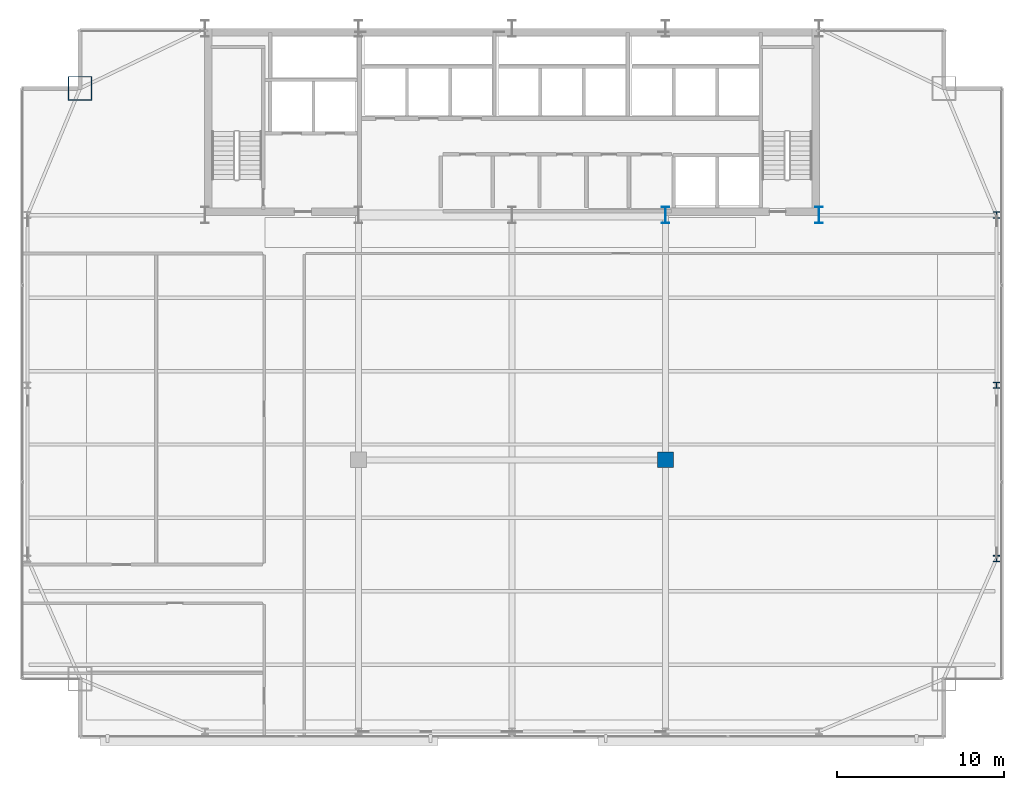
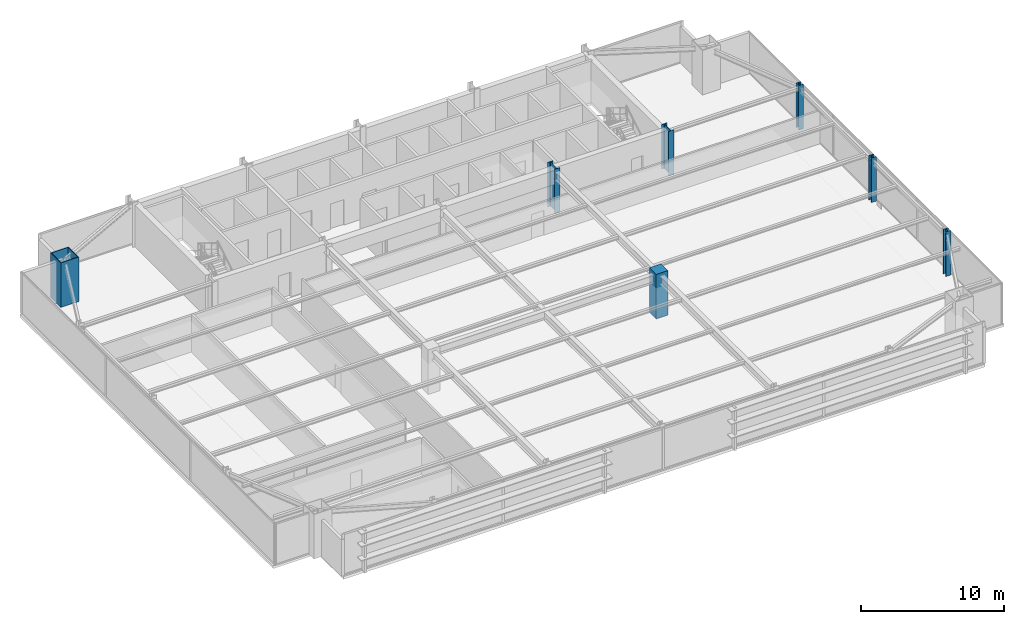
# One storey, part 2 of 32: 7 columns.
"""IFC4 building model written with IfcOpenShell, lengths in metres."""

from ifc_helpers import new_model, si_unit, direction, frame, origin, origin_2d, place, context, subcontext, project, spatial, rectangle, hollow_rectangle, i_section, extrude, source, transform, mapped, material, material_profile, profile_set, type_object, type_shapes, element, save


model = new_model("IFC4")

# Units and contexts
model_context = context("Model", 3, precision=1e-05, world=origin(), true_north=direction((0.0, 1.0)))
body_context = subcontext(model_context, "Body", "Model", "MODEL_VIEW")
ifc_project = project(units=[si_unit("LENGTHUNIT", "METRE"), si_unit("AREAUNIT", "SQUARE_METRE"), si_unit("VOLUMEUNIT", "CUBIC_METRE"), si_unit("PLANEANGLEUNIT", "RADIAN"), si_unit("MASSUNIT", "GRAM", prefix="KILO")], contexts=[model_context])

# Site, building, storey
site_placement = place(None, origin())
site = spatial("IfcSite", under=ifc_project, at=site_placement, CompositionType="ELEMENT")
building_placement = place(site_placement, origin())
building = spatial("IfcBuilding", under=site, at=building_placement, Name="Varnel Quay Broadcast Tower", CompositionType="ELEMENT")
storey_placement = place(building_placement, frame((0.0, 0.0, 90.800048828125)))
storey = spatial("IfcBuildingStorey", under=building, at=storey_placement, Name="L21", CompositionType="ELEMENT", Elevation=90.800048828125)

# Columns
ifc_material_1 = material(Name="Structural Steel CSA G40.21 350WT", Category="steel")
ifc_material_profile_1 = material_profile(ifc_material_1, i_section(OverallWidth=0.449951171875, OverallDepth=1.0, WebThickness=0.01611328125, FlangeThickness=0.030029296875, FilletRadius=0.01611328125, at=origin_2d()), Name="WWF1000X362")
ifc_profile_set_1 = profile_set([ifc_material_profile_1], Name="Structural Steel CSA G40.21 350WT")
column_type_1 = type_object("IfcColumnType", Name="Col_WWF1000X362", PredefinedType="COLUMN", material=ifc_profile_set_1)
shared_shape_1 = source(origin(), body_context, "Body", "SweptSolid", [
    extrude(i_section(OverallWidth=0.449951171875, OverallDepth=1.0, WebThickness=0.01611328125, FlangeThickness=0.030029296875, FilletRadius=0.01611328125, at=origin_2d()), origin(), (0.0, 0.0, 1.0), 3.800048828125),
])
type_shapes(column_type_1, [shared_shape_1])
for number, where, z_axis, x_axis, name in (
    (1, (43.199951171875, 35.60009765625, 0.0), (0.0, 0.0, 1.0), (1.0, 0.0, 0.0), "L21 Column CC-S4"),
    (2, (52.39990234375, 35.60009765625, 0.0), (0.0, 0.0, 1.0), (1.0, 0.0, 0.0), "L21 Column CC-S5"),
):
    element("IfcColumn", number, at=place(storey_placement, frame(where, z_axis=z_axis, x_axis=x_axis)), inside=storey, type_object=column_type_1, Name=name, PredefinedType="COLUMN", context=body_context, shape_type="MappedRepresentation", body=[
        mapped(shared_shape_1, transform((0.0, 0.0, 0.0), x_axis=(1.0, 0.0, 0.0), y_axis=(0.0, 1.0, 0.0), z_axis=(0.0, 0.0, 1.0), scale=1.0)),
    ])
ifc_material_profile_2 = material_profile(ifc_material_1, hollow_rectangle(XDim=1.449951171875, YDim=1.449951171875, WallThickness=0.054931640625, at=origin_2d()), Name="BOX1450X1450X55")
ifc_profile_set_2 = profile_set([ifc_material_profile_2], Name="Structural Steel CSA G40.21 350WT")
column_type_2 = type_object("IfcColumnType", Name="Col_BOX1450X1450X55", PredefinedType="COLUMN", material=ifc_profile_set_2)
shared_shape_2 = source(origin(), body_context, "Body", "SweptSolid", [
    extrude(hollow_rectangle(XDim=1.449951171875, YDim=1.449951171875, WallThickness=0.054931640625, at=origin_2d()), origin(), (0.0, 0.0, 1.0), 3.800048828125),
])
type_shapes(column_type_2, [shared_shape_2])
column_1_placement = place(storey_placement, frame((8.10009765625, 43.199951171875, 0.0), z_axis=(0.0, 0.0, 1.0), x_axis=(1.0, 0.0, 0.0)))
element("IfcColumn", 3, at=column_1_placement, inside=storey, type_object=column_type_2, Name="L21 Column MC-NW", PredefinedType="COLUMN", context=body_context, shape_type="MappedRepresentation", body=[
    mapped(shared_shape_2, transform((0.0, 0.0, 0.0), x_axis=(1.0, 0.0, 0.0), y_axis=(0.0, 1.0, 0.0), z_axis=(0.0, 0.0, 1.0), scale=1.0)),
])
ifc_material_2 = material(Name="Structural Steel CSA G40.21 350W", Category="steel")
ifc_material_profile_3 = material_profile(ifc_material_2, i_section(OverallWidth=0.39794921875, OverallDepth=0.386962890625, WebThickness=0.02099609375, FlangeThickness=0.033203125, FilletRadius=0.01806640625, at=origin_2d()), Name="W360X262")
ifc_profile_set_3 = profile_set([ifc_material_profile_3], Name="Structural Steel CSA G40.21 350W")
column_type_3 = type_object("IfcColumnType", Name="Col_W360X262", PredefinedType="COLUMN", material=ifc_profile_set_3)
shared_shape_3 = source(origin(), body_context, "Body", "SweptSolid", [
    extrude(i_section(OverallWidth=0.39794921875, OverallDepth=0.386962890625, WebThickness=0.02099609375, FlangeThickness=0.033203125, FilletRadius=0.01806640625, at=origin_2d()), origin(), (0.0, 0.0, 1.0), 3.800048828125),
])
type_shapes(column_type_3, [shared_shape_3])
for number, where, z_axis, x_axis, name in (
    (4, (63.050048828125, 15.0, 0.0), (0.0, 0.0, 1.0), (1.0, 0.0, 0.0), "L21 Column TC-E1"),
    (5, (63.050048828125, 25.39990234375, 0.0), (0.0, 0.0, 1.0), (1.0, 0.0, 0.0), "L21 Column TC-E2"),
    (6, (63.050048828125, 35.60009765625, 0.0), (0.0, 0.0, 1.0), (1.0, 0.0, 0.0), "L21 Column TC-E3"),
):
    element("IfcColumn", number, at=place(storey_placement, frame(where, z_axis=z_axis, x_axis=x_axis)), inside=storey, type_object=column_type_3, Name=name, PredefinedType="COLUMN", context=body_context, shape_type="MappedRepresentation", body=[
        mapped(shared_shape_3, transform((0.0, 0.0, 0.0), x_axis=(1.0, 0.0, 0.0), y_axis=(0.0, 1.0, 0.0), z_axis=(0.0, 0.0, 1.0), scale=1.0)),
    ])
ifc_material_3 = material(Name="Concrete CSA A23.3 C50/60", Category="concrete")
ifc_material_profile_4 = material_profile(ifc_material_3, rectangle(XDim=0.949951171875, YDim=0.949951171875, at=origin_2d()), Name="RC950X950")
ifc_profile_set_4 = profile_set([ifc_material_profile_4], Name="Concrete CSA A23.3 C50/60")
column_type_4 = type_object("IfcColumnType", Name="Col_RC950X950", PredefinedType="COLUMN", material=ifc_profile_set_4)
shared_shape_4 = source(origin(), body_context, "Body", "SweptSolid", [
    extrude(rectangle(XDim=0.949951171875, YDim=0.949951171875, at=origin_2d()), origin(), (0.0, 0.0, 1.0), 3.800048828125),
])
type_shapes(column_type_4, [shared_shape_4])
column_2_placement = place(storey_placement, frame((43.199951171875, 20.929931640625, 0.0), z_axis=(0.0, 0.0, 1.0), x_axis=(1.0, 0.0, 0.0)))
element("IfcColumn", 7, at=column_2_placement, inside=storey, type_object=column_type_4, Name="L21 Column IC-02", PredefinedType="COLUMN", context=body_context, shape_type="MappedRepresentation", body=[
    mapped(shared_shape_4, transform((0.0, 0.0, 0.0), x_axis=(1.0, 0.0, 0.0), y_axis=(0.0, 1.0, 0.0), z_axis=(0.0, 0.0, 1.0), scale=1.0)),
])

save(model, "model.ifc")
